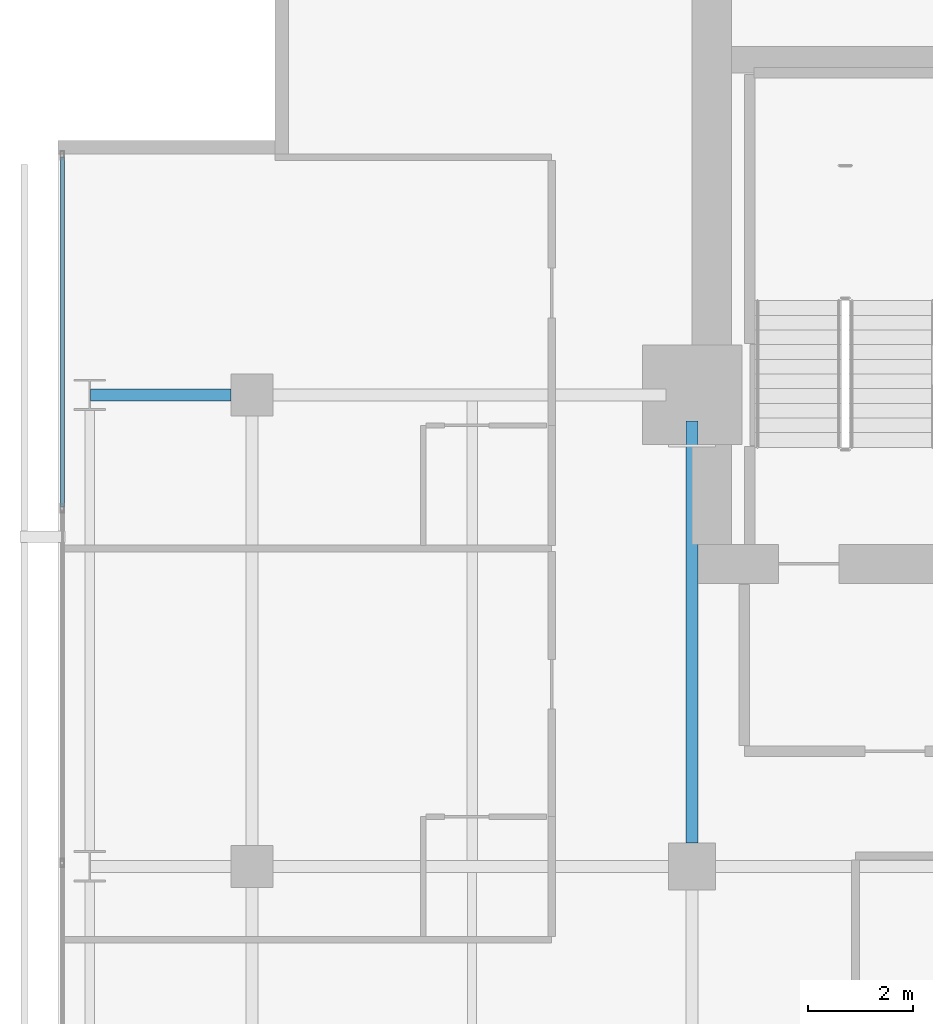
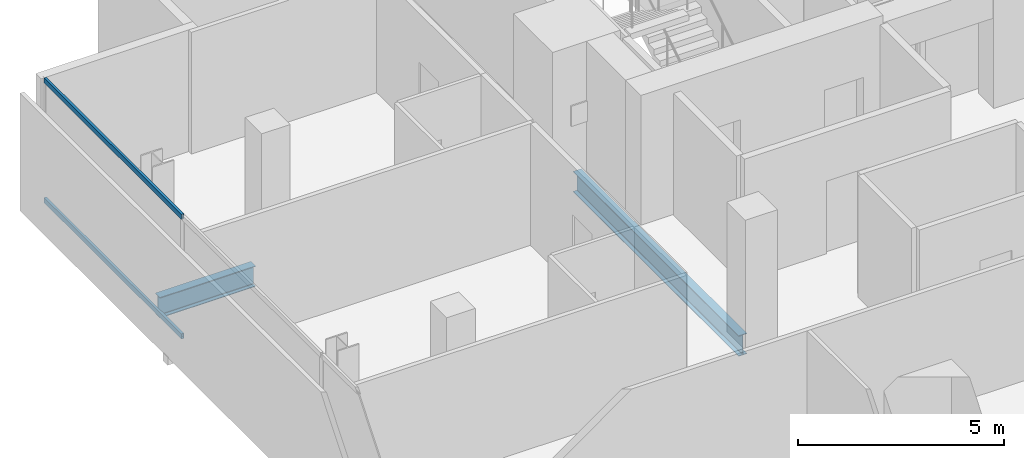
# One storey, part 19 of 33: 2 beams, 2 members, 1 element without a shape of its own.
"""IFC4 building model written with IfcOpenShell, lengths in metres."""

from ifc_helpers import new_model, si_unit, direction, frame, origin, origin_2d, place, context, subcontext, project, spatial, hollow_rectangle, i_section, extrude, material, layer, layer_set, material_profile, profile_set, type_object, element, aggregate, save


model = new_model("IFC4")

# Units and contexts
model_context = context("Model", 3, precision=1e-05, world=origin(), true_north=direction((0.0, 1.0)))
body_context = subcontext(model_context, "Body", "Model", "MODEL_VIEW")
ifc_project = project(units=[si_unit("LENGTHUNIT", "METRE"), si_unit("AREAUNIT", "SQUARE_METRE"), si_unit("VOLUMEUNIT", "CUBIC_METRE"), si_unit("PLANEANGLEUNIT", "RADIAN"), si_unit("MASSUNIT", "GRAM", prefix="KILO")], contexts=[model_context])

# Site, building, storey
site_placement = place(None, origin())
site = spatial("IfcSite", under=ifc_project, at=site_placement, CompositionType="ELEMENT")
building_placement = place(site_placement, origin())
building = spatial("IfcBuilding", under=site, at=building_placement, Name="Maruvema Waterfront Hotel and Observation Tower", CompositionType="ELEMENT")
storey_placement = place(building_placement, frame((0.0, 0.0, 154.35009765625)))
storey = spatial("IfcBuildingStorey", under=building, at=storey_placement, Name="L37", CompositionType="ELEMENT", Elevation=154.35009765625)

# Curtain wall, members
ifc_material_1 = material(Name="Anodised bronze aluminium and solar-control low-E IGU", Category="aluminium")
ifc_layer = layer(ifc_material_1, 0.159912109375, Name="Zone 2 Amber Inner Thermal Curtain Wall System CW-03")
ifc_layer_set = layer_set([ifc_layer], Name="Anodised bronze aluminium and solar-control low-E IGU")
curtain_wall_type = type_object("IfcCurtainWallType", Name="Zone 2 Amber Inner Thermal Curtain Wall System CW-03", PredefinedType="USERDEFINED", material=ifc_layer_set)
curtain_wall_placement = place(storey_placement, origin())
curtain_wall = element("IfcCurtainWall", 1, at=curtain_wall_placement, inside=storey, type_object=curtain_wall_type, Name="L37 Curtain Wall CW-L37-W", ObjectType="UNITISED CURTAIN WALL", PredefinedType="USERDEFINED")
ifc_material_2 = material(Name="Anodised architectural bronze aluminium", Category="aluminium")
ifc_material_profile_1 = material_profile(ifc_material_2, hollow_rectangle(XDim=0.070068359375, YDim=0.14990234375, WallThickness=0.00390625, at=origin_2d()), Name="ALU-T70x150")
ifc_profile_set_1 = profile_set([ifc_material_profile_1], Name="Anodised architectural bronze aluminium")
member_type = type_object("IfcMemberType", Name="Curtain Wall Horizontal Transom ALU-T70x150", PredefinedType="USERDEFINED", material=ifc_profile_set_1)
member_1_placement = place(storey_placement, frame((13.179931640625, 49.5400390625, 0.02978515625), z_axis=(0.0, -1.0, 0.0), x_axis=(1.0, 0.0, 0.0)))
member_1 = element("IfcMember", 2, at=member_1_placement, type_object=member_type, Name="CW-03 transom 1.1", ObjectType="TRANSOM", PredefinedType="USERDEFINED", context=body_context, shape_type="SweptSolid", body=[
    extrude(hollow_rectangle(XDim=0.070068359375, YDim=0.14990234375, WallThickness=0.00390625, at=origin_2d()), origin(), (0.0, 0.0, 1.0), 6.6767578125),
])
member_2_placement = place(storey_placement, frame((13.179931640625, 49.5400390625, 3.579833984375), z_axis=(0.0, -1.0, 0.0), x_axis=(1.0, 0.0, 0.0)))
member_2 = element("IfcMember", 3, at=member_2_placement, type_object=member_type, Name="CW-03 transom 1.2", ObjectType="TRANSOM", PredefinedType="USERDEFINED", context=body_context, shape_type="SweptSolid", body=[
    extrude(hollow_rectangle(XDim=0.070068359375, YDim=0.14990234375, WallThickness=0.00390625, at=origin_2d()), origin(), (0.0, 0.0, 1.0), 6.6767578125),
])
aggregate(curtain_wall, [member_1, member_2])

# Beams
ifc_material_3 = material(Name="Steel ASTM A572 Grade 50", Category="steel")
ifc_material_profile_2 = material_profile(ifc_material_3, i_section(OverallWidth=0.22900390625, OverallDepth=0.612060546875, WebThickness=0.011962890625, FlangeThickness=0.01953125, FilletRadius=0.01806640625, at=origin_2d()), Name="W610x125.0")
ifc_profile_set_2 = profile_set([ifc_material_profile_2], Name="Steel ASTM A572 Grade 50")
beam_type = type_object("IfcBeamType", Name="Primary Floor Girder W610x125.0", PredefinedType="BEAM", material=ifc_profile_set_2)
beam_1_placement = place(storey_placement, frame((13.71240234375, 45.0, -0.546142578125), z_axis=(1.0, 0.0, 0.0), x_axis=(0.0, 1.0, 0.0)))
element("IfcBeam", 4, at=beam_1_placement, inside=storey, type_object=beam_type, Name="L37 Floor Girder EW-30", PredefinedType="BEAM", context=body_context, shape_type="SweptSolid", body=[
    extrude(i_section(OverallWidth=0.22900390625, OverallDepth=0.612060546875, WebThickness=0.011962890625, FlangeThickness=0.01953125, FilletRadius=0.01806640625, at=origin_2d()), origin(), (0.0, 0.0, 1.0), 2.6875),
])
beam_2_placement = place(storey_placement, frame((25.199951171875, 36.449951171875, -0.546142578125), z_axis=(0.0, 1.0, 0.0), x_axis=(-1.0, 0.0, 0.0)))
element("IfcBeam", 5, at=beam_2_placement, inside=storey, type_object=beam_type, Name="L37 Floor Girder NS-13", PredefinedType="BEAM", context=body_context, shape_type="SweptSolid", body=[
    extrude(i_section(OverallWidth=0.22900390625, OverallDepth=0.612060546875, WebThickness=0.011962890625, FlangeThickness=0.01953125, FilletRadius=0.01806640625, at=origin_2d()), origin(), (0.0, 0.0, 1.0), 8.050048828125),
])

save(model, "model.ifc")
